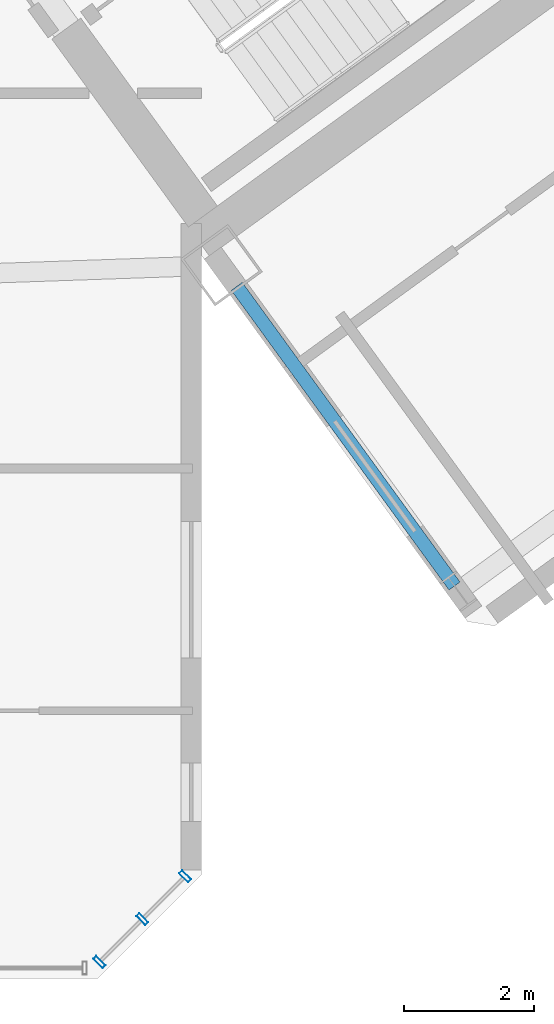
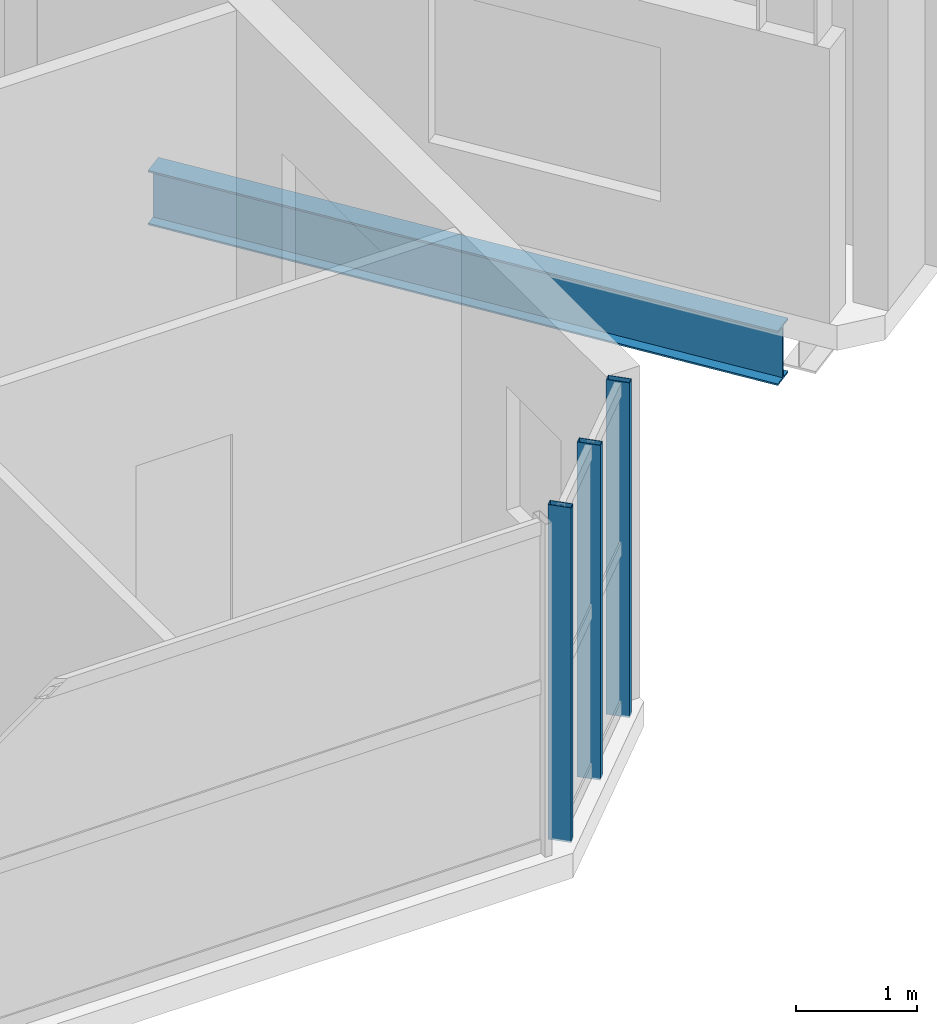
# One storey, part 10 of 25: 3 members, 1 beam, 1 element without a shape of its own.
"""IFC4 building model written with IfcOpenShell, lengths in metres."""

from ifc_helpers import new_model, si_unit, direction, frame, origin, origin_2d, place, context, subcontext, project, spatial, hollow_rectangle, i_section, extrude, source, transform, mapped, material, material_profile, profile_set, type_object, element, aggregate, save


model = new_model("IFC4")

# Units and contexts
model_context = context("Model", 3, precision=1e-05, world=origin(), true_north=direction((0.0, 1.0)))
body_context = subcontext(model_context, "Body", "Model", "MODEL_VIEW")
ifc_project = project(units=[si_unit("LENGTHUNIT", "METRE"), si_unit("AREAUNIT", "SQUARE_METRE"), si_unit("VOLUMEUNIT", "CUBIC_METRE"), si_unit("PLANEANGLEUNIT", "RADIAN"), si_unit("MASSUNIT", "GRAM", prefix="KILO")], contexts=[model_context])

# Site, building, storey
site_placement = place(None, origin())
site = spatial("IfcSite", under=ifc_project, at=site_placement, CompositionType="ELEMENT")
building_placement = place(site_placement, origin())
building = spatial("IfcBuilding", under=site, at=building_placement, Name="Tlacorven Tower", CompositionType="ELEMENT")
storey_placement = place(building_placement, frame((0.0, 0.0, 155.10009765625)))
storey = spatial("IfcBuildingStorey", under=building, at=storey_placement, Name="L39", CompositionType="ELEMENT", Elevation=155.10009765625)

# Beam
ifc_material_1 = material(Name="Steel S355J2", Category="steel")
ifc_material_profile_1 = material_profile(ifc_material_1, i_section(OverallWidth=0.2099609375, OverallDepth=0.550048828125, WebThickness=0.010986328125, FlangeThickness=0.01708984375, at=origin_2d()), Name="IPE 550")
ifc_profile_set_1 = profile_set([ifc_material_profile_1], Name="Steel S355J2")
beam_type = type_object("IfcBeamType", Name="BM-TWR-550", PredefinedType="BEAM", material=ifc_profile_set_1)
shared_shape_1 = source(origin(), body_context, "Body", "SweptSolid", [
    extrude(i_section(OverallWidth=0.2099609375, OverallDepth=0.550048828125, WebThickness=0.010986328125, FlangeThickness=0.01708984375, at=origin_2d()), origin(), (0.0, 0.0, 1.0), 5.699951171875),
])
beam_placement = place(storey_placement, frame((56.291015625, 7.83837890625, -0.525146484375), z_axis=(-0.587815099892, 0.808995307983, 0.0), x_axis=(-0.808995307983, -0.587815099892, 0.0)))
element("IfcBeam", 1, at=beam_placement, inside=storey, type_object=beam_type, Name="L39 beam BM-L39-ET1-1", PredefinedType="BEAM", context=body_context, shape_type="MappedRepresentation", body=[
    mapped(shared_shape_1, transform((0.0, 0.0, 0.0), scale=1.0)),
])

# Curtain wall, members
ifc_material_2 = material(Name="Dark solar low-E double glazing in aluminium frame", Category="aluminium")
curtain_wall_type = type_object("IfcCurtainWallType", Name="CW-TWR-MID", PredefinedType="USERDEFINED", material=ifc_material_2)
curtain_wall_placement = place(storey_placement, origin())
curtain_wall = element("IfcCurtainWall", 2, at=curtain_wall_placement, inside=storey, type_object=curtain_wall_type, Name="L39 CW-TWR-MID Curtain Wall 172", ObjectType="UNITISED CURTAIN WALL", PredefinedType="USERDEFINED")
ifc_material_3 = material(Name="Aluminium 6063-T6 anodised", Category="aluminium")
ifc_material_profile_2 = material_profile(ifc_material_3, hollow_rectangle(XDim=0.06494140625, YDim=0.199951171875, WallThickness=0.00439453125, at=origin_2d()), Name="ALU MULLION 65X200")
ifc_profile_set_2 = profile_set([ifc_material_profile_2], Name="Aluminium 6063-T6 anodised")
member_type = type_object("IfcMemberType", Name="CWM-02", PredefinedType="MULLION", material=ifc_profile_set_2)
shared_shape_2 = source(origin(), body_context, "Body", "SweptSolid", [
    extrude(hollow_rectangle(XDim=0.06494140625, YDim=0.199951171875, WallThickness=0.00439453125, at=origin_2d()), origin(), (0.0, 0.0, 1.0), 3.3798828125),
])
member_1_placement = place(storey_placement, frame((52.146240234375, 3.37255859375, -0.02001953125), z_axis=(0.0, 0.0, 1.0), x_axis=(-0.707106781187, -0.707106781187, 0.0)))
member_1 = element("IfcMember", 3, at=member_1_placement, type_object=member_type, Name="CW-L39-172 Mullion 1", PredefinedType="MULLION", context=body_context, shape_type="MappedRepresentation", body=[
    mapped(shared_shape_2, transform((0.0, 0.0, 0.0), scale=1.0)),
])
member_2_placement = place(storey_placement, frame((51.48681640625, 2.713134765625, -0.02001953125), z_axis=(0.0, 0.0, 1.0), x_axis=(-0.707106781187, -0.707106781187, 0.0)))
member_2 = element("IfcMember", 4, at=member_2_placement, type_object=member_type, Name="CW-L39-172 Mullion 2", PredefinedType="MULLION", context=body_context, shape_type="MappedRepresentation", body=[
    mapped(shared_shape_2, transform((0.0, 0.0, 0.0), scale=1.0)),
])
member_3_placement = place(storey_placement, frame((50.827392578125, 2.0537109375, -0.02001953125), z_axis=(0.0, 0.0, 1.0), x_axis=(-0.707106781187, -0.707106781187, 0.0)))
member_3 = element("IfcMember", 5, at=member_3_placement, type_object=member_type, Name="CW-L39-172 Mullion 3", PredefinedType="MULLION", context=body_context, shape_type="MappedRepresentation", body=[
    mapped(shared_shape_2, transform((0.0, 0.0, 0.0), scale=1.0)),
])
aggregate(curtain_wall, [member_1, member_2, member_3])

save(model, "model.ifc")
